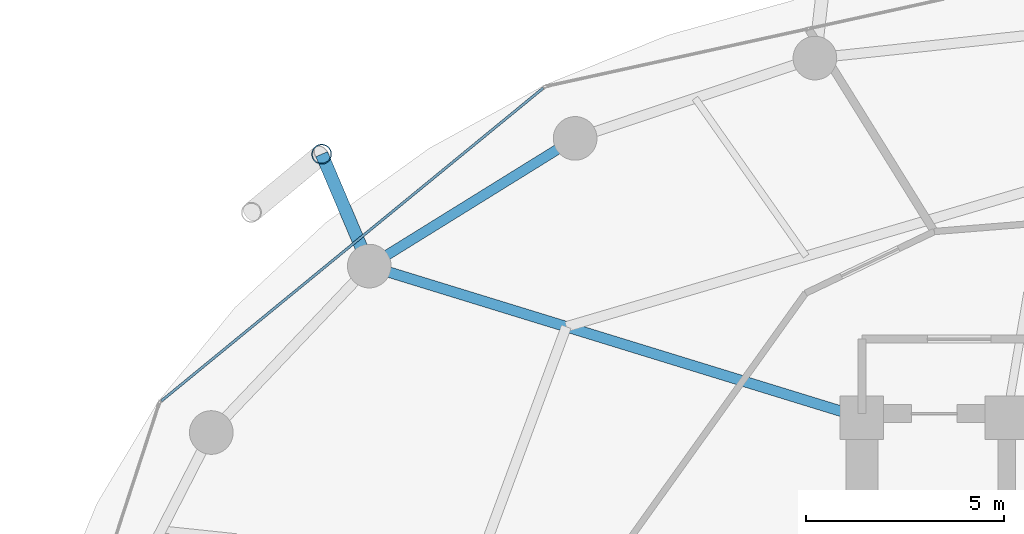
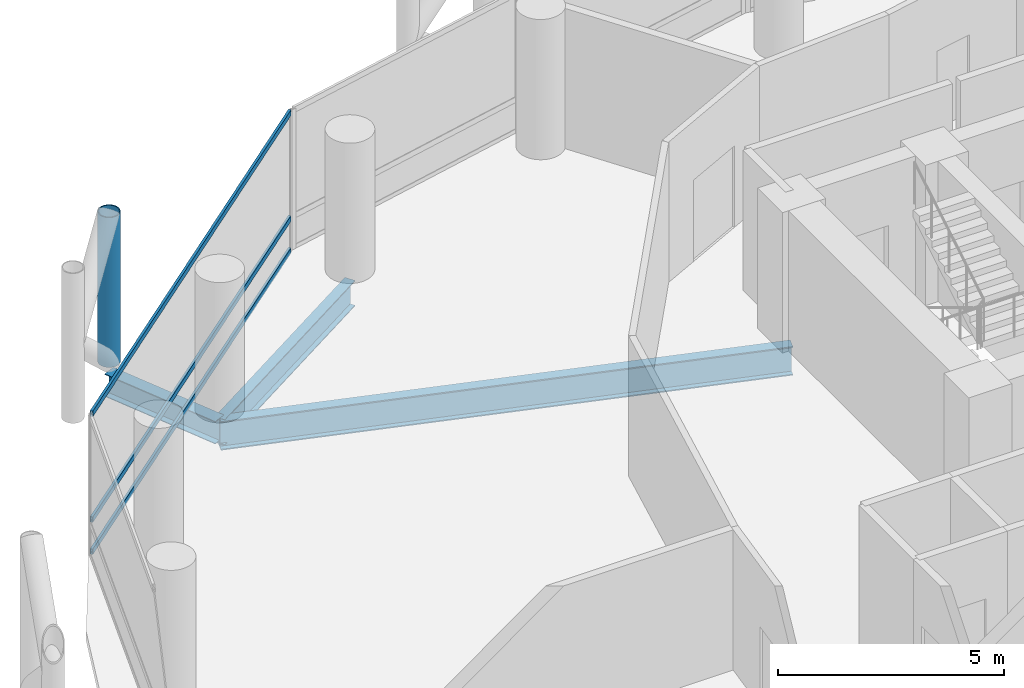
# One storey, part 14 of 24: 4 members, 3 beams, 1 element without a shape of its own.
"""IFC4 building model written with IfcOpenShell, lengths in metres."""

from ifc_helpers import new_model, si_unit, direction, frame, origin, origin_2d, place, context, subcontext, project, spatial, hollow_rectangle, hollow_circle, i_section, extrude, material, layer, layer_set, material_profile, profile_set, type_object, element, aggregate, save


model = new_model("IFC4")

# Units and contexts
model_context = context("Model", 3, precision=1e-05, world=origin(), true_north=direction((0.0, 1.0)))
body_context = subcontext(model_context, "Body", "Model", "MODEL_VIEW")
ifc_project = project(units=[si_unit("LENGTHUNIT", "METRE"), si_unit("AREAUNIT", "SQUARE_METRE"), si_unit("VOLUMEUNIT", "CUBIC_METRE"), si_unit("PLANEANGLEUNIT", "RADIAN"), si_unit("MASSUNIT", "GRAM", prefix="KILO")], contexts=[model_context])

# Site, building, storey
site_placement = place(None, origin())
site = spatial("IfcSite", under=ifc_project, at=site_placement, CompositionType="ELEMENT")
building_placement = place(site_placement, origin())
building = spatial("IfcBuilding", under=site, at=building_placement, Name="Nuhasar Tower", CompositionType="ELEMENT")
storey_placement = place(building_placement, frame((0.0, 0.0, 25.050048828125)))
storey = spatial("IfcBuildingStorey", under=building, at=storey_placement, Name="L05", CompositionType="ELEMENT", Elevation=25.050048828125)

# Beams
ifc_material_1 = material(Name="Steel S355", Category="steel")
ifc_material_profile_1 = material_profile(ifc_material_1, i_section(OverallWidth=0.26611328125, OverallDepth=0.779052734375, WebThickness=0.0166015625, FlangeThickness=0.030029296875, at=origin_2d()), Name="W30X148")
ifc_profile_set_1 = profile_set([ifc_material_profile_1], Name="Steel S355")
beam_type_1 = type_object("IfcBeamType", Name="BM-RAD-W30X148", PredefinedType="BEAM", material=ifc_profile_set_1)
beam_1_placement = place(storey_placement, frame((33.699951171875, 37.300048828125, -0.650146484375), z_axis=(-0.955789576103, 0.294051502653, 0.0), x_axis=(-0.294051502653, -0.955789576103, 0.0)))
element("IfcBeam", 1, at=beam_1_placement, inside=storey, type_object=beam_type_1, Name="L05 Radial Floor Girder 07", PredefinedType="BEAM", context=body_context, shape_type="SweptSolid", body=[
    extrude(i_section(OverallWidth=0.26611328125, OverallDepth=0.779052734375, WebThickness=0.0166015625, FlangeThickness=0.030029296875, at=origin_2d()), origin(), (0.0, 0.0, 1.0), 12.987060546875),
])
ifc_material_profile_2 = material_profile(ifc_material_1, i_section(OverallWidth=0.256103515625, OverallDepth=0.693115234375, WebThickness=0.014404296875, FlangeThickness=0.023681640625, at=origin_2d()), Name="W27X114")
ifc_profile_set_2 = profile_set([ifc_material_profile_2], Name="Steel S355")
beam_type_2 = type_object("IfcBeamType", Name="BM-RING-W27X114", PredefinedType="SPANDREL", material=ifc_profile_set_2)
beam_2_placement = place(storey_placement, frame((26.47509765625, 44.3369140625, -0.60595703125), z_axis=(-0.849795216549, -0.527112976439, 0.0), x_axis=(0.527112976439, -0.849795216549, 0.0)))
element("IfcBeam", 2, at=beam_2_placement, inside=storey, type_object=beam_type_2, Name="L05 Perimeter Ring Spandrel 09", PredefinedType="SPANDREL", context=body_context, shape_type="SweptSolid", body=[
    extrude(i_section(OverallWidth=0.256103515625, OverallDepth=0.693115234375, WebThickness=0.014404296875, FlangeThickness=0.023681640625, at=origin_2d()), origin(), (0.0, 0.0, 1.0), 6.10498046875),
])
ifc_material_profile_3 = material_profile(ifc_material_1, i_section(OverallWidth=0.323974609375, OverallDepth=0.611083984375, WebThickness=0.0126953125, FlangeThickness=0.01904296875, at=origin_2d()), Name="W24X104")
ifc_profile_set_3 = profile_set([ifc_material_profile_3], Name="Steel S355")
beam_type_3 = type_object("IfcBeamType", Name="BM-TIE-W24X104", PredefinedType="BEAM", material=ifc_profile_set_3)
beam_3_placement = place(storey_placement, frame((21.287109375, 41.118896484375, -0.56494140625), z_axis=(-0.391601084021, 0.920135093882, 0.0), x_axis=(-0.920135093882, -0.391601084021, 0.0)))
element("IfcBeam", 3, at=beam_3_placement, inside=storey, type_object=beam_type_3, Name="L05 Exoskeleton Node Tie Beam 05", PredefinedType="BEAM", context=body_context, shape_type="SweptSolid", body=[
    extrude(i_section(OverallWidth=0.323974609375, OverallDepth=0.611083984375, WebThickness=0.0126953125, FlangeThickness=0.01904296875, at=origin_2d()), origin(), (0.0, 0.0, 1.0), 3.06494140625),
])

# Curtain wall, members
ifc_material_2 = material(Name="Aluminium 6063-T6", Category="aluminium")
ifc_layer = layer(ifc_material_2, 0.199951171875)
ifc_layer_set = layer_set([ifc_layer], Name="Aluminium 6063-T6")
curtain_wall_type = type_object("IfcCurtainWallType", Name="CW-Z1-OFF", PredefinedType="NOTDEFINED", material=ifc_layer_set)
curtain_wall_placement = place(storey_placement, origin())
curtain_wall = element("IfcCurtainWall", 4, at=curtain_wall_placement, inside=storey, type_object=curtain_wall_type, Name="L05 Unitised Curtain Wall 05", PredefinedType="NOTDEFINED")
ifc_material_profile_4 = material_profile(ifc_material_2, hollow_rectangle(XDim=0.06494140625, YDim=0.14990234375, WallThickness=0.00439453125, at=origin_2d()), Name="CWT-2")
ifc_profile_set_4 = profile_set([ifc_material_profile_4], Name="Aluminium 6063-T6")
member_type_1 = type_object("IfcMemberType", Name="CW-TRN-S2", PredefinedType="USERDEFINED", material=ifc_profile_set_4)
member_1_placement = place(storey_placement, frame((25.669677734375, 45.603759765625, 0.032470703125), z_axis=(-0.773540851599, -0.633746440548, 0.0), x_axis=(0.633746440548, -0.773540851599, 0.0)))
member_1 = element("IfcMember", 5, at=member_1_placement, type_object=member_type_1, Name="CW-Z1 transom 1.1", ObjectType="TRANSOM", PredefinedType="USERDEFINED", context=body_context, shape_type="SweptSolid", body=[
    extrude(hollow_rectangle(XDim=0.06494140625, YDim=0.14990234375, WallThickness=0.00439453125, at=origin_2d()), origin(), (0.0, 0.0, 1.0), 12.43798828125),
])
member_2_placement = place(storey_placement, frame((25.669677734375, 45.603759765625, 0.89990234375), z_axis=(-0.773540851599, -0.633746440548, 0.0), x_axis=(0.633746440548, -0.773540851599, 0.0)))
member_2 = element("IfcMember", 6, at=member_2_placement, type_object=member_type_1, Name="CW-Z1 transom 1.2", ObjectType="TRANSOM", PredefinedType="USERDEFINED", context=body_context, shape_type="SweptSolid", body=[
    extrude(hollow_rectangle(XDim=0.06494140625, YDim=0.14990234375, WallThickness=0.00439453125, at=origin_2d()), origin(), (0.0, 0.0, 1.0), 12.43798828125),
])
member_3_placement = place(storey_placement, frame((25.669677734375, 45.603759765625, 3.757568359375), z_axis=(-0.773540851599, -0.633746440548, 0.0), x_axis=(0.633746440548, -0.773540851599, 0.0)))
member_3 = element("IfcMember", 7, at=member_3_placement, type_object=member_type_1, Name="CW-Z1 transom 1.3", ObjectType="TRANSOM", PredefinedType="USERDEFINED", context=body_context, shape_type="SweptSolid", body=[
    extrude(hollow_rectangle(XDim=0.06494140625, YDim=0.14990234375, WallThickness=0.00439453125, at=origin_2d()), origin(), (0.0, 0.0, 1.0), 12.43798828125),
])
aggregate(curtain_wall, [member_1, member_2, member_3])

# Member
ifc_material_3 = material(Name="Steel S460", Category="steel")
ifc_material_profile_5 = material_profile(ifc_material_3, hollow_circle(Radius=0.25390625, WallThickness=0.025390625, at=origin_2d()), Name="HSS508X25.4")
ifc_profile_set_5 = profile_set([ifc_material_profile_5], Name="Steel S460")
member_type_2 = type_object("IfcMemberType", Name="EXO-BRONZE-508", PredefinedType="BRACE", material=ifc_profile_set_5)
member_4_placement = place(storey_placement, frame((20.0869140625, 43.93896484375, 0.0), z_axis=(0.0, 0.0, 1.0), x_axis=(1.0, 0.0, 0.0)))
element("IfcMember", 8, at=member_4_placement, inside=storey, type_object=member_type_2, Name="L05 Exoskeleton Chord Column EC-05A", PredefinedType="BRACE", context=body_context, shape_type="SweptSolid", body=[
    extrude(hollow_circle(Radius=0.25390625, WallThickness=0.025390625, at=origin_2d()), origin(), (0.0, 0.0, 1.0), 4.050048828125),
])

save(model, "model.ifc")
